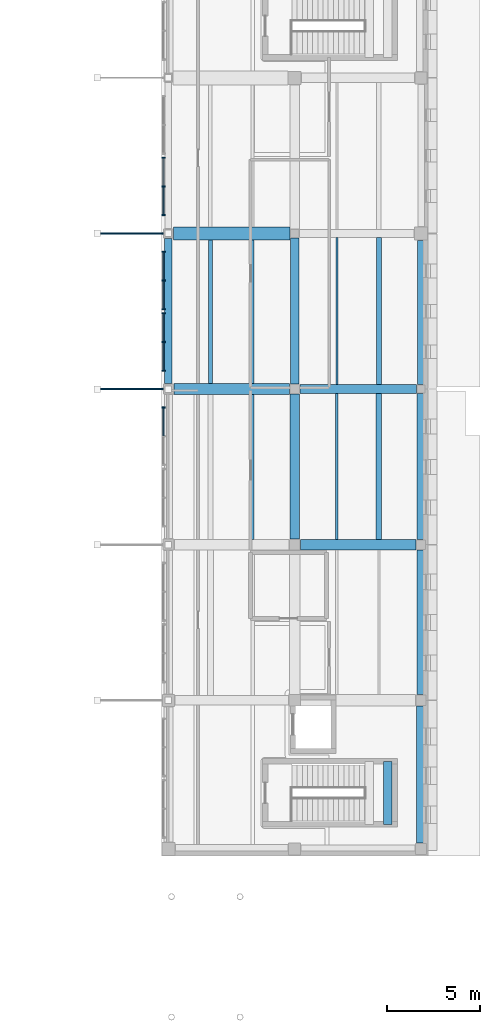
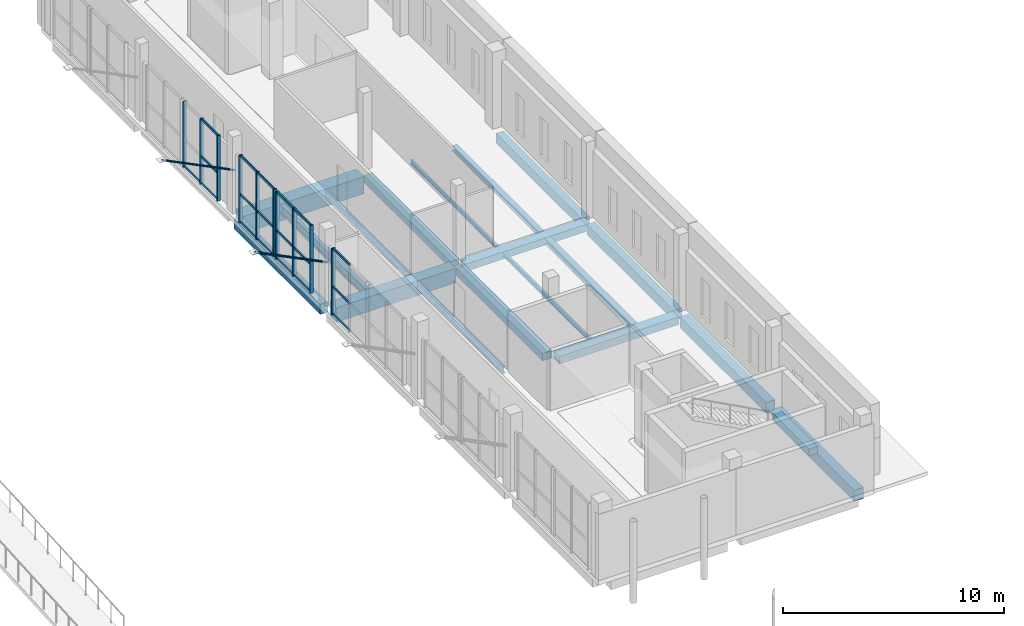
# One storey, part 33 of 77: 31 members, 19 beams, 4 elements without a shape of their own.
"""IFC4 building model written with IfcOpenShell, lengths in metres."""

from ifc_helpers import new_model, si_unit, direction, frame, origin, origin_2d, place, context, subcontext, project, spatial, rectangle, hollow_circle, i_section, extrude, material, layer, layer_set, material_profile, profile_set, type_object, element, aggregate, save


model = new_model("IFC4")

# Units and contexts
model_context = context("Model", 3, precision=1e-05, world=origin(), true_north=direction((0.0, 1.0)))
body_context = subcontext(model_context, "Body", "Model", "MODEL_VIEW")
ifc_project = project(units=[si_unit("LENGTHUNIT", "METRE"), si_unit("AREAUNIT", "SQUARE_METRE"), si_unit("VOLUMEUNIT", "CUBIC_METRE"), si_unit("PLANEANGLEUNIT", "RADIAN"), si_unit("MASSUNIT", "GRAM", prefix="KILO")], contexts=[model_context])

# Site, building, storey
site_placement = place(None, origin())
site = spatial("IfcSite", under=ifc_project, at=site_placement, CompositionType="ELEMENT")
building_placement = place(site_placement, origin())
building = spatial("IfcBuilding", under=site, at=building_placement, Name="Vardoun Plaza Health Centre", CompositionType="ELEMENT")
storey_placement = place(building_placement, origin())
storey = spatial("IfcBuildingStorey", under=building, at=storey_placement, Name="L00", CompositionType="ELEMENT", Elevation=0.0)

# Beams
ifc_material_1 = material(Name="Concrete C35/45", Category="concrete")
ifc_material_profile_1 = material_profile(ifc_material_1, rectangle(XDim=0.39990234375, YDim=0.550048828125, at=origin_2d()), Name="RC-BM 400x550")
ifc_profile_set_1 = profile_set([ifc_material_profile_1], Name="Concrete C35/45")
beam_type_1 = type_object("IfcBeamType", Name="B-09", PredefinedType="SPANDREL", material=ifc_profile_set_1)
beam_1_placement = place(storey_placement, frame((151.280029296875, 61.800048828125, -0.52490234375), z_axis=(0.0, 1.0, 0.0), x_axis=(-1.0, 0.0, 0.0)))
element("IfcBeam", 1, at=beam_1_placement, inside=storey, type_object=beam_type_1, Name="V6 L00 Beam B-V6-L00-Y18", PredefinedType="SPANDREL", context=body_context, shape_type="SweptSolid", body=[
    extrude(rectangle(XDim=0.39990234375, YDim=0.550048828125, at=origin_2d()), origin(), (0.0, 0.0, 1.0), 7.824951171875),
])
beam_2_placement = place(storey_placement, frame((164.919921875, 61.75, -0.52490234375), z_axis=(0.0, 1.0, 0.0), x_axis=(-1.0, 0.0, 0.0)))
element("IfcBeam", 2, at=beam_2_placement, inside=storey, type_object=beam_type_1, Name="V6 L00 Beam B-V6-L00-Y28", PredefinedType="SPANDREL", context=body_context, shape_type="SweptSolid", body=[
    extrude(rectangle(XDim=0.39990234375, YDim=0.550048828125, at=origin_2d()), origin(), (0.0, 0.0, 1.0), 7.775146484375),
])
ifc_material_2 = material(Name="Concrete C35/45", Category="concrete")
ifc_material_profile_2 = material_profile(ifc_material_2, rectangle(XDim=0.419921875, YDim=0.580078125, at=origin_2d()), Name="RC-BM 420x580")
ifc_profile_set_2 = profile_set([ifc_material_profile_2], Name="Concrete C35/45")
beam_type_2 = type_object("IfcBeamType", Name="B-10", PredefinedType="SPANDREL", material=ifc_profile_set_2)
beam_3_placement = place(storey_placement, frame((164.919921875, 53.375, -0.5400390625), z_axis=(0.0, 1.0, 0.0), x_axis=(-1.0, 0.0, 0.0)))
element("IfcBeam", 3, at=beam_3_placement, inside=storey, type_object=beam_type_2, Name="V6 L00 Beam B-V6-L00-Y27", PredefinedType="SPANDREL", context=body_context, shape_type="SweptSolid", body=[
    extrude(rectangle(XDim=0.419921875, YDim=0.580078125, at=origin_2d()), origin(), (0.0, 0.0, 1.0), 7.875),
])
ifc_material_3 = material(Name="Concrete C35/45", Category="concrete")
ifc_material_profile_3 = material_profile(ifc_material_3, rectangle(XDim=0.449951171875, YDim=0.3798828125, at=origin_2d()), Name="RC-BM 450x380")
ifc_profile_set_3 = profile_set([ifc_material_profile_3], Name="Concrete C35/45")
beam_type_3 = type_object("IfcBeamType", Name="B-01", PredefinedType="BEAM", material=ifc_profile_set_3)
beam_4_placement = place(storey_placement, frame((158.10009765625, 61.775146484375, -0.43994140625), z_axis=(0.0, 1.0, 0.0), x_axis=(-1.0, 0.0, 0.0)))
element("IfcBeam", 4, at=beam_4_placement, inside=storey, type_object=beam_type_3, Name="V6 L00 Beam B-V6-L00-Y23", PredefinedType="BEAM", context=body_context, shape_type="SweptSolid", body=[
    extrude(rectangle(XDim=0.449951171875, YDim=0.3798828125, at=origin_2d()), origin(), (0.0, 0.0, 1.0), 7.875),
])
beam_5_placement = place(storey_placement, frame((163.1201171875, 38.0, 1.860107421875), z_axis=(0.0, 1.0, 0.0), x_axis=(-1.0, 0.0, 0.0)))
element("IfcBeam", 5, at=beam_5_placement, inside=storey, type_object=beam_type_3, Name="Stair ST-C10-L00 Landing Beam 2", PredefinedType="BEAM", context=body_context, shape_type="SweptSolid", body=[
    extrude(rectangle(XDim=0.449951171875, YDim=0.3798828125, at=origin_2d()), origin(), (0.0, 0.0, 1.0), 3.400146484375),
])
ifc_material_4 = material(Name="Concrete C35/45", Category="concrete")
ifc_material_profile_4 = material_profile(ifc_material_4, rectangle(XDim=0.449951171875, YDim=0.60009765625, at=origin_2d()), Name="RC-BM 450x600")
ifc_profile_set_4 = profile_set([ifc_material_profile_4], Name="Concrete C35/45")
beam_type_4 = type_object("IfcBeamType", Name="B-11", PredefinedType="SPANDREL", material=ifc_profile_set_4)
beam_6_placement = place(storey_placement, frame((164.919921875, 45.0, -0.550048828125), z_axis=(0.0, 1.0, 0.0), x_axis=(-1.0, 0.0, 0.0)))
element("IfcBeam", 6, at=beam_6_placement, inside=storey, type_object=beam_type_4, Name="V6 L00 Beam B-V6-L00-Y26", PredefinedType="SPANDREL", context=body_context, shape_type="SweptSolid", body=[
    extrude(rectangle(XDim=0.449951171875, YDim=0.60009765625, at=origin_2d()), origin(), (0.0, 0.0, 1.0), 7.824951171875),
])
ifc_material_5 = material(Name="Concrete C35/45", Category="concrete")
ifc_material_profile_5 = material_profile(ifc_material_5, rectangle(XDim=0.47998046875, YDim=0.6201171875, at=origin_2d()), Name="RC-BM 480x620")
ifc_profile_set_5 = profile_set([ifc_material_profile_5], Name="Concrete C35/45")
beam_type_5 = type_object("IfcBeamType", Name="B-12", PredefinedType="SPANDREL", material=ifc_profile_set_5)
beam_7_placement = place(storey_placement, frame((164.919921875, 37.0048828125, -0.56005859375), z_axis=(0.0, 1.0, 0.0), x_axis=(-1.0, 0.0, 0.0)))
element("IfcBeam", 7, at=beam_7_placement, inside=storey, type_object=beam_type_5, Name="V6 L00 Beam B-V6-L00-Y25", PredefinedType="SPANDREL", context=body_context, shape_type="SweptSolid", body=[
    extrude(rectangle(XDim=0.47998046875, YDim=0.6201171875, at=origin_2d()), origin(), (0.0, 0.0, 1.0), 7.395263671875),
])
ifc_material_6 = material(Name="Concrete C35/45", Category="concrete")
ifc_material_profile_6 = material_profile(ifc_material_6, rectangle(XDim=0.5, YDim=0.39990234375, at=origin_2d()), Name="RC-BM 500x400")
ifc_profile_set_6 = profile_set([ifc_material_profile_6], Name="Concrete C35/45")
beam_type_6 = type_object("IfcBeamType", Name="B-02", PredefinedType="BEAM", material=ifc_profile_set_6)
beam_8_placement = place(storey_placement, frame((158.375, 61.5, -0.449951171875), z_axis=(1.0, 0.0, 0.0), x_axis=(0.0, 1.0, 0.0)))
element("IfcBeam", 8, at=beam_8_placement, inside=storey, type_object=beam_type_6, Name="V6 L00 Beam B-V6-L00-X11", PredefinedType="BEAM", context=body_context, shape_type="SweptSolid", body=[
    extrude(rectangle(XDim=0.5, YDim=0.39990234375, at=origin_2d()), origin(), (0.0, 0.0, 1.0), 6.294921875),
])
beam_9_placement = place(storey_placement, frame((158.10009765625, 53.400146484375, -0.449951171875), z_axis=(0.0, 1.0, 0.0), x_axis=(-1.0, 0.0, 0.0)))
element("IfcBeam", 9, at=beam_9_placement, inside=storey, type_object=beam_type_6, Name="V6 L00 Beam B-V6-L00-Y22", PredefinedType="BEAM", context=body_context, shape_type="SweptSolid", body=[
    extrude(rectangle(XDim=0.5, YDim=0.39990234375, at=origin_2d()), origin(), (0.0, 0.0, 1.0), 7.824951171875),
])
ifc_material_7 = material(Name="Concrete C35/45", Category="concrete")
ifc_material_profile_7 = material_profile(ifc_material_7, rectangle(XDim=0.550048828125, YDim=0.419921875, at=origin_2d()), Name="RC-BM 550x420")
ifc_profile_set_7 = profile_set([ifc_material_profile_7], Name="Concrete C35/45")
beam_type_7 = type_object("IfcBeamType", Name="B-03", PredefinedType="BEAM", material=ifc_profile_set_7)
beam_10_placement = place(storey_placement, frame((158.39990234375, 53.10009765625, -0.4599609375), z_axis=(1.0, 0.0, 0.0), x_axis=(0.0, 1.0, 0.0)))
element("IfcBeam", 10, at=beam_10_placement, inside=storey, type_object=beam_type_7, Name="V6 L00 Beam B-V6-L00-X10", PredefinedType="BEAM", context=body_context, shape_type="SweptSolid", body=[
    extrude(rectangle(XDim=0.550048828125, YDim=0.419921875, at=origin_2d()), origin(), (0.0, 0.0, 1.0), 6.2451171875),
])
ifc_material_8 = material(Name="Concrete C40/50", Category="concrete")
ifc_material_profile_8 = material_profile(ifc_material_8, rectangle(XDim=0.60009765625, YDim=0.800048828125, at=origin_2d()), Name="RC-BM 600x800")
ifc_profile_set_8 = profile_set([ifc_material_profile_8], Name="Concrete C40/50")
beam_type_8 = type_object("IfcBeamType", Name="B-15", PredefinedType="JOIST", material=ifc_profile_set_8)
beam_11_placement = place(storey_placement, frame((151.580078125, 61.5, -0.64990234375), z_axis=(1.0, 0.0, 0.0), x_axis=(0.0, 1.0, 0.0)))
element("IfcBeam", 11, at=beam_11_placement, inside=storey, type_object=beam_type_8, Name="V6 L00 Beam B-V6-L00-X04", PredefinedType="JOIST", context=body_context, shape_type="SweptSolid", body=[
    extrude(rectangle(XDim=0.60009765625, YDim=0.800048828125, at=origin_2d()), origin(), (0.0, 0.0, 1.0), 6.244873046875),
])
ifc_material_9 = material(Name="Concrete C40/50", Category="concrete")
ifc_material_profile_9 = material_profile(ifc_material_9, rectangle(XDim=0.699951171875, YDim=0.949951171875, at=origin_2d()), Name="RC-BM 700x950")
ifc_profile_set_9 = profile_set([ifc_material_profile_9], Name="Concrete C40/50")
beam_type_9 = type_object("IfcBeamType", Name="B-16", PredefinedType="LINTEL", material=ifc_profile_set_9)
beam_12_placement = place(storey_placement, frame((151.554931640625, 69.900146484375, -0.72509765625), z_axis=(1.0, 0.0, 0.0), x_axis=(0.0, 1.0, 0.0)))
element("IfcBeam", 12, at=beam_12_placement, inside=storey, type_object=beam_type_9, Name="V6 L00 Beam B-V6-L00-X05", PredefinedType="LINTEL", context=body_context, shape_type="SweptSolid", body=[
    extrude(rectangle(XDim=0.699951171875, YDim=0.949951171875, at=origin_2d()), origin(), (0.0, 0.0, 1.0), 6.295166015625),
])
ifc_material_10 = material(Name="Steel S355J2", Category="steel")
ifc_material_profile_10 = material_profile(ifc_material_10, i_section(OverallWidth=0.280029296875, OverallDepth=0.27001953125, WebThickness=0.008056640625, FlangeThickness=0.012939453125, FilletRadius=0.02392578125, at=origin_2d()), Name="HEA 280")
ifc_profile_set_10 = profile_set([ifc_material_profile_10], Name="Steel S355J2")
beam_type_10 = type_object("IfcBeamType", Name="SB-06", PredefinedType="BEAM", material=ifc_profile_set_10)
beam_13_placement = place(storey_placement, frame((162.64697265625, 61.75, -0.385009765625), z_axis=(0.0, 1.0, 0.0), x_axis=(-1.0, 0.0, 0.0)))
element("IfcBeam", 13, at=beam_13_placement, inside=storey, type_object=beam_type_10, Name="V6 L00 Secondary Floor Beam SJ-V6-L00-15", PredefinedType="BEAM", context=body_context, shape_type="SweptSolid", body=[
    extrude(i_section(OverallWidth=0.280029296875, OverallDepth=0.27001953125, WebThickness=0.008056640625, FlangeThickness=0.012939453125, FilletRadius=0.02392578125, at=origin_2d()), origin(), (0.0, 0.0, 1.0), 7.925048828125),
])
ifc_material_11 = material(Name="Steel S355J2", Category="steel")
ifc_material_profile_11 = material_profile(ifc_material_11, i_section(OverallWidth=0.300048828125, OverallDepth=0.330078125, WebThickness=0.009521484375, FlangeThickness=0.0166015625, FilletRadius=0.027099609375, at=origin_2d()), Name="HEA 340")
ifc_profile_set_11 = profile_set([ifc_material_profile_11], Name="Steel S355J2")
beam_type_11 = type_object("IfcBeamType", Name="SB-04", PredefinedType="BEAM", material=ifc_profile_set_11)
beam_14_placement = place(storey_placement, frame((162.64697265625, 53.375, -0.4150390625), z_axis=(0.0, 1.0, 0.0), x_axis=(-1.0, 0.0, 0.0)))
element("IfcBeam", 14, at=beam_14_placement, inside=storey, type_object=beam_type_11, Name="V6 L00 Secondary Floor Beam SJ-V6-L00-14", PredefinedType="BEAM", context=body_context, shape_type="SweptSolid", body=[
    extrude(i_section(OverallWidth=0.300048828125, OverallDepth=0.330078125, WebThickness=0.009521484375, FlangeThickness=0.0166015625, FilletRadius=0.027099609375, at=origin_2d()), origin(), (0.0, 0.0, 1.0), 7.875),
])
ifc_material_12 = material(Name="Steel S355J2", Category="steel")
ifc_material_profile_12 = material_profile(ifc_material_12, i_section(OverallWidth=0.110107421875, OverallDepth=0.219970703125, WebThickness=0.005859375, FlangeThickness=0.00927734375, FilletRadius=0.011962890625, at=origin_2d()), Name="IPE 220")
ifc_profile_set_12 = profile_set([ifc_material_profile_12], Name="Steel S355J2")
beam_type_12 = type_object("IfcBeamType", Name="SB-18", PredefinedType="JOIST", material=ifc_profile_set_12)
beam_15_placement = place(storey_placement, frame((160.373046875, 61.75, -0.360107421875), z_axis=(0.0, 1.0, 0.0), x_axis=(-1.0, 0.0, 0.0)))
element("IfcBeam", 15, at=beam_15_placement, inside=storey, type_object=beam_type_12, Name="V6 L00 Secondary Floor Beam SJ-V6-L00-11", PredefinedType="JOIST", context=body_context, shape_type="SweptSolid", body=[
    extrude(i_section(OverallWidth=0.110107421875, OverallDepth=0.219970703125, WebThickness=0.005859375, FlangeThickness=0.00927734375, FilletRadius=0.011962890625, at=origin_2d()), origin(), (0.0, 0.0, 1.0), 7.925048828125),
])
ifc_material_13 = material(Name="Steel S355J2", Category="steel")
ifc_material_profile_13 = material_profile(ifc_material_13, i_section(OverallWidth=0.1201171875, OverallDepth=0.239990234375, WebThickness=0.006103515625, FlangeThickness=0.009765625, FilletRadius=0.014892578125, at=origin_2d()), Name="IPE 240")
ifc_profile_set_13 = profile_set([ifc_material_profile_13], Name="Steel S355J2")
beam_type_13 = type_object("IfcBeamType", Name="SB-17", PredefinedType="JOIST", material=ifc_profile_set_13)
beam_16_placement = place(storey_placement, frame((160.373046875, 53.375, -0.3701171875), z_axis=(0.0, 1.0, 0.0), x_axis=(-1.0, 0.0, 0.0)))
element("IfcBeam", 16, at=beam_16_placement, inside=storey, type_object=beam_type_13, Name="V6 L00 Secondary Floor Beam SJ-V6-L00-10", PredefinedType="JOIST", context=body_context, shape_type="SweptSolid", body=[
    extrude(i_section(OverallWidth=0.1201171875, OverallDepth=0.239990234375, WebThickness=0.006103515625, FlangeThickness=0.009765625, FilletRadius=0.014892578125, at=origin_2d()), origin(), (0.0, 0.0, 1.0), 7.875),
])
ifc_material_14 = material(Name="Steel S355J2", Category="steel")
ifc_material_profile_14 = material_profile(ifc_material_14, i_section(OverallWidth=0.159912109375, OverallDepth=0.330078125, WebThickness=0.007568359375, FlangeThickness=0.011474609375, FilletRadius=0.01806640625, at=origin_2d()), Name="IPE 330")
ifc_profile_set_14 = profile_set([ifc_material_profile_14], Name="Steel S355J2")
beam_type_14 = type_object("IfcBeamType", Name="SB-14", PredefinedType="JOIST", material=ifc_profile_set_14)
beam_17_placement = place(storey_placement, frame((155.826904296875, 61.800048828125, -0.4150390625), z_axis=(0.0, 1.0, 0.0), x_axis=(-1.0, 0.0, 0.0)))
element("IfcBeam", 17, at=beam_17_placement, inside=storey, type_object=beam_type_14, Name="V6 L00 Secondary Floor Beam SJ-V6-L00-07", PredefinedType="JOIST", context=body_context, shape_type="SweptSolid", body=[
    extrude(i_section(OverallWidth=0.159912109375, OverallDepth=0.330078125, WebThickness=0.007568359375, FlangeThickness=0.011474609375, FilletRadius=0.01806640625, at=origin_2d()), origin(), (0.0, 0.0, 1.0), 7.75),
])
ifc_material_15 = material(Name="Steel S355J2", Category="steel")
ifc_material_profile_15 = material_profile(ifc_material_15, i_section(OverallWidth=0.169921875, OverallDepth=0.360107421875, WebThickness=0.008056640625, FlangeThickness=0.0126953125, FilletRadius=0.01806640625, at=origin_2d()), Name="IPE 360")
ifc_profile_set_15 = profile_set([ifc_material_profile_15], Name="Steel S355J2")
beam_type_15 = type_object("IfcBeamType", Name="SB-13", PredefinedType="JOIST", material=ifc_profile_set_15)
beam_18_placement = place(storey_placement, frame((155.826904296875, 53.375, -0.429931640625), z_axis=(0.0, 1.0, 0.0), x_axis=(-1.0, 0.0, 0.0)))
element("IfcBeam", 18, at=beam_18_placement, inside=storey, type_object=beam_type_15, Name="V6 L00 Secondary Floor Beam SJ-V6-L00-06", PredefinedType="JOIST", context=body_context, shape_type="SweptSolid", body=[
    extrude(i_section(OverallWidth=0.169921875, OverallDepth=0.360107421875, WebThickness=0.008056640625, FlangeThickness=0.0126953125, FilletRadius=0.01806640625, at=origin_2d()), origin(), (0.0, 0.0, 1.0), 7.824951171875),
])
ifc_material_16 = material(Name="Steel S355J2", Category="steel")
ifc_material_profile_16 = material_profile(ifc_material_16, i_section(OverallWidth=0.199951171875, OverallDepth=0.5, WebThickness=0.01025390625, FlangeThickness=0.01611328125, FilletRadius=0.02099609375, at=origin_2d()), Name="IPE 500")
ifc_profile_set_16 = profile_set([ifc_material_profile_16], Name="Steel S355J2")
beam_type_16 = type_object("IfcBeamType", Name="SB-10", PredefinedType="BEAM", material=ifc_profile_set_16)
beam_19_placement = place(storey_placement, frame((153.552978515625, 61.800048828125, -0.5), z_axis=(0.0, 1.0, 0.0), x_axis=(-1.0, 0.0, 0.0)))
element("IfcBeam", 19, at=beam_19_placement, inside=storey, type_object=beam_type_16, Name="V6 L00 Secondary Floor Beam SJ-V6-L00-03", PredefinedType="BEAM", context=body_context, shape_type="SweptSolid", body=[
    extrude(i_section(OverallWidth=0.199951171875, OverallDepth=0.5, WebThickness=0.01025390625, FlangeThickness=0.01611328125, FilletRadius=0.02099609375, at=origin_2d()), origin(), (0.0, 0.0, 1.0), 7.75),
])

# Curtain wall, member
ifc_material_17 = material(Name="Aluminium Alloy EN AW-6063-T6 and Low-E Glass", Category="aluminium")
ifc_layer = layer(ifc_material_17, 0.179931640625)
ifc_layer_set = layer_set([ifc_layer], Name="Aluminium Alloy EN AW-6063-T6 and Low-E Glass")
curtain_wall_type = type_object("IfcCurtainWallType", Name="CW-01", PredefinedType="USERDEFINED", material=ifc_layer_set)
curtain_wall_1_placement = place(storey_placement, origin())
curtain_wall_1 = element("IfcCurtainWall", 20, at=curtain_wall_1_placement, inside=storey, type_object=curtain_wall_type, Name="Curtain Wall CW-V6-196", ObjectType="CONCOURSE_CURTAIN_WALL", PredefinedType="USERDEFINED")
ifc_material_18 = material(Name="Aluminium Alloy EN AW-6063-T6", Category="aluminium")
ifc_material_profile_17 = material_profile(ifc_material_18, rectangle(XDim=0.179931640625, YDim=0.06494140625, at=origin_2d()), Name="CWM 65x180")
ifc_profile_set_17 = profile_set([ifc_material_profile_17], Name="Aluminium Alloy EN AW-6063-T6")
member_type_1 = type_object("IfcMemberType", Name="CW-M2", PredefinedType="MULLION", material=ifc_profile_set_17)
member_1_placement = place(storey_placement, frame((151.02001953125, 60.507568359375, 0.0), z_axis=(0.0, 0.0, 1.0), x_axis=(-1.0, 0.0, 0.0)))
member_1 = element("IfcMember", 21, at=member_1_placement, type_object=member_type_1, Name="CW-V6-196 mullion 3", PredefinedType="MULLION", context=body_context, shape_type="SweptSolid", body=[
    extrude(rectangle(XDim=0.179931640625, YDim=0.06494140625, at=origin_2d()), origin(), (0.0, 0.0, 1.0), 3.68505859375),
])

# Curtain wall, members
curtain_wall_2_placement = place(storey_placement, origin())
curtain_wall_2 = element("IfcCurtainWall", 22, at=curtain_wall_2_placement, inside=storey, type_object=curtain_wall_type, Name="Curtain Wall CW-V6-197", ObjectType="CONCOURSE_CURTAIN_WALL", PredefinedType="USERDEFINED")
member_2_placement = place(storey_placement, frame((151.02001953125, 62.492431640625, 0.0), z_axis=(0.0, 0.0, 1.0), x_axis=(-1.0, 0.0, 0.0)))
member_2 = element("IfcMember", 23, at=member_2_placement, type_object=member_type_1, Name="CW-V6-197 mullion 1", PredefinedType="MULLION", context=body_context, shape_type="SweptSolid", body=[
    extrude(rectangle(XDim=0.179931640625, YDim=0.06494140625, at=origin_2d()), origin(), (0.0, 0.0, 1.0), 3.735107421875),
])
member_3_placement = place(storey_placement, frame((151.02001953125, 64.0400390625, 0.0), z_axis=(0.0, 0.0, 1.0), x_axis=(-1.0, 0.0, 0.0)))
member_3 = element("IfcMember", 24, at=member_3_placement, type_object=member_type_1, Name="CW-V6-197 mullion 2", PredefinedType="MULLION", context=body_context, shape_type="SweptSolid", body=[
    extrude(rectangle(XDim=0.179931640625, YDim=0.06494140625, at=origin_2d()), origin(), (0.0, 0.0, 1.0), 3.735107421875),
])
member_4_placement = place(storey_placement, frame((151.02001953125, 65.587646484375, 0.0), z_axis=(0.0, 0.0, 1.0), x_axis=(-1.0, 0.0, 0.0)))
member_4 = element("IfcMember", 25, at=member_4_placement, type_object=member_type_1, Name="CW-V6-197 mullion 3", PredefinedType="MULLION", context=body_context, shape_type="SweptSolid", body=[
    extrude(rectangle(XDim=0.179931640625, YDim=0.06494140625, at=origin_2d()), origin(), (0.0, 0.0, 1.0), 3.735107421875),
])

curtain_wall_3_placement = place(storey_placement, origin())
curtain_wall_3 = element("IfcCurtainWall", 26, at=curtain_wall_3_placement, inside=storey, type_object=curtain_wall_type, Name="Curtain Wall CW-V6-198", ObjectType="CONCOURSE_CURTAIN_WALL", PredefinedType="USERDEFINED")
member_5_placement = place(storey_placement, frame((151.02001953125, 65.8125, 0.0), z_axis=(0.0, 0.0, 1.0), x_axis=(-1.0, 0.0, 0.0)))
member_5 = element("IfcMember", 27, at=member_5_placement, type_object=member_type_1, Name="CW-V6-198 mullion 1", PredefinedType="MULLION", context=body_context, shape_type="SweptSolid", body=[
    extrude(rectangle(XDim=0.179931640625, YDim=0.06494140625, at=origin_2d()), origin(), (0.0, 0.0, 1.0), 3.735107421875),
])
member_6_placement = place(storey_placement, frame((151.02001953125, 67.360107421875, 0.0), z_axis=(0.0, 0.0, 1.0), x_axis=(-1.0, 0.0, 0.0)))
member_6 = element("IfcMember", 28, at=member_6_placement, type_object=member_type_1, Name="CW-V6-198 mullion 2", PredefinedType="MULLION", context=body_context, shape_type="SweptSolid", body=[
    extrude(rectangle(XDim=0.179931640625, YDim=0.06494140625, at=origin_2d()), origin(), (0.0, 0.0, 1.0), 3.735107421875),
])
member_7_placement = place(storey_placement, frame((151.02001953125, 68.907470703125, 0.0), z_axis=(0.0, 0.0, 1.0), x_axis=(-1.0, 0.0, 0.0)))
member_7 = element("IfcMember", 29, at=member_7_placement, type_object=member_type_1, Name="CW-V6-198 mullion 3", PredefinedType="MULLION", context=body_context, shape_type="SweptSolid", body=[
    extrude(rectangle(XDim=0.179931640625, YDim=0.06494140625, at=origin_2d()), origin(), (0.0, 0.0, 1.0), 3.735107421875),
])

curtain_wall_4_placement = place(storey_placement, origin())
curtain_wall_4 = element("IfcCurtainWall", 30, at=curtain_wall_4_placement, inside=storey, type_object=curtain_wall_type, Name="Curtain Wall CW-V6-199", ObjectType="CONCOURSE_CURTAIN_WALL", PredefinedType="USERDEFINED")
member_8_placement = place(storey_placement, frame((151.02001953125, 70.892578125, 0.0), z_axis=(0.0, 0.0, 1.0), x_axis=(-1.0, 0.0, 0.0)))
member_8 = element("IfcMember", 31, at=member_8_placement, type_object=member_type_1, Name="CW-V6-199 mullion 1", PredefinedType="MULLION", context=body_context, shape_type="SweptSolid", body=[
    extrude(rectangle(XDim=0.179931640625, YDim=0.06494140625, at=origin_2d()), origin(), (0.0, 0.0, 1.0), 3.614990234375),
])
member_9_placement = place(storey_placement, frame((151.02001953125, 72.440185546875, 0.0), z_axis=(0.0, 0.0, 1.0), x_axis=(-1.0, 0.0, 0.0)))
member_9 = element("IfcMember", 32, at=member_9_placement, type_object=member_type_1, Name="CW-V6-199 mullion 2", PredefinedType="MULLION", context=body_context, shape_type="SweptSolid", body=[
    extrude(rectangle(XDim=0.179931640625, YDim=0.06494140625, at=origin_2d()), origin(), (0.0, 0.0, 1.0), 3.614990234375),
])
member_10_placement = place(storey_placement, frame((151.02001953125, 73.987548828125, 0.0), z_axis=(0.0, 0.0, 1.0), x_axis=(-1.0, 0.0, 0.0)))
member_10 = element("IfcMember", 33, at=member_10_placement, type_object=member_type_1, Name="CW-V6-199 mullion 3", PredefinedType="MULLION", context=body_context, shape_type="SweptSolid", body=[
    extrude(rectangle(XDim=0.179931640625, YDim=0.06494140625, at=origin_2d()), origin(), (0.0, 0.0, 1.0), 3.614990234375),
])

# Member
ifc_material_19 = material(Name="Aluminium Alloy EN AW-6063-T6", Category="aluminium")
ifc_material_profile_18 = material_profile(ifc_material_19, rectangle(XDim=0.06494140625, YDim=0.139892578125, at=origin_2d()), Name="CWT 65x140")
ifc_profile_set_18 = profile_set([ifc_material_profile_18], Name="Aluminium Alloy EN AW-6063-T6")
member_type_2 = type_object("IfcMemberType", Name="CW-T2", PredefinedType="USERDEFINED", material=ifc_profile_set_18)
member_11_placement = place(storey_placement, frame((151.02001953125, 58.992431640625, 0.032470703125), z_axis=(0.0, 1.0, 0.0), x_axis=(-1.0, 0.0, 0.0)))
member_11 = element("IfcMember", 34, at=member_11_placement, type_object=member_type_2, Name="CW-V6-196 transom 2.1", ObjectType="TRANSOM", PredefinedType="USERDEFINED", context=body_context, shape_type="SweptSolid", body=[
    extrude(rectangle(XDim=0.06494140625, YDim=0.139892578125, at=origin_2d()), origin(), (0.0, 0.0, 1.0), 1.482666015625),
])

member_12_placement = place(storey_placement, frame((151.02001953125, 58.992431640625, 1.547607421875), z_axis=(0.0, 1.0, 0.0), x_axis=(-1.0, 0.0, 0.0)))
member_12 = element("IfcMember", 35, at=member_12_placement, type_object=member_type_2, Name="CW-V6-196 transom 2.2", ObjectType="TRANSOM", PredefinedType="USERDEFINED", context=body_context, shape_type="SweptSolid", body=[
    extrude(rectangle(XDim=0.06494140625, YDim=0.139892578125, at=origin_2d()), origin(), (0.0, 0.0, 1.0), 1.482666015625),
])

member_13_placement = place(storey_placement, frame((151.02001953125, 58.992431640625, 3.652587890625), z_axis=(0.0, 1.0, 0.0), x_axis=(-1.0, 0.0, 0.0)))
member_13 = element("IfcMember", 36, at=member_13_placement, type_object=member_type_2, Name="CW-V6-196 transom 2.3", ObjectType="TRANSOM", PredefinedType="USERDEFINED", context=body_context, shape_type="SweptSolid", body=[
    extrude(rectangle(XDim=0.06494140625, YDim=0.139892578125, at=origin_2d()), origin(), (0.0, 0.0, 1.0), 1.482666015625),
])

aggregate(curtain_wall_1, [member_1, member_11, member_12, member_13])

member_14_placement = place(storey_placement, frame((151.02001953125, 62.525146484375, 0.032470703125), z_axis=(0.0, 1.0, 0.0), x_axis=(-1.0, 0.0, 0.0)))
member_14 = element("IfcMember", 37, at=member_14_placement, type_object=member_type_2, Name="CW-V6-197 transom 1.1", ObjectType="TRANSOM", PredefinedType="USERDEFINED", context=body_context, shape_type="SweptSolid", body=[
    extrude(rectangle(XDim=0.06494140625, YDim=0.139892578125, at=origin_2d()), origin(), (0.0, 0.0, 1.0), 1.482421875),
])

member_15_placement = place(storey_placement, frame((151.02001953125, 62.525146484375, 1.568603515625), z_axis=(0.0, 1.0, 0.0), x_axis=(-1.0, 0.0, 0.0)))
member_15 = element("IfcMember", 38, at=member_15_placement, type_object=member_type_2, Name="CW-V6-197 transom 1.2", ObjectType="TRANSOM", PredefinedType="USERDEFINED", context=body_context, shape_type="SweptSolid", body=[
    extrude(rectangle(XDim=0.06494140625, YDim=0.139892578125, at=origin_2d()), origin(), (0.0, 0.0, 1.0), 1.482421875),
])

member_16_placement = place(storey_placement, frame((151.02001953125, 62.525146484375, 3.702392578125), z_axis=(0.0, 1.0, 0.0), x_axis=(-1.0, 0.0, 0.0)))
member_16 = element("IfcMember", 39, at=member_16_placement, type_object=member_type_2, Name="CW-V6-197 transom 1.3", ObjectType="TRANSOM", PredefinedType="USERDEFINED", context=body_context, shape_type="SweptSolid", body=[
    extrude(rectangle(XDim=0.06494140625, YDim=0.139892578125, at=origin_2d()), origin(), (0.0, 0.0, 1.0), 1.482421875),
])

member_17_placement = place(storey_placement, frame((151.02001953125, 64.072509765625, 0.032470703125), z_axis=(0.0, 1.0, 0.0), x_axis=(-1.0, 0.0, 0.0)))
member_17 = element("IfcMember", 40, at=member_17_placement, type_object=member_type_2, Name="CW-V6-197 transom 2.1", ObjectType="TRANSOM", PredefinedType="USERDEFINED", context=body_context, shape_type="SweptSolid", body=[
    extrude(rectangle(XDim=0.06494140625, YDim=0.139892578125, at=origin_2d()), origin(), (0.0, 0.0, 1.0), 1.482421875),
])

member_18_placement = place(storey_placement, frame((151.02001953125, 64.072509765625, 1.568603515625), z_axis=(0.0, 1.0, 0.0), x_axis=(-1.0, 0.0, 0.0)))
member_18 = element("IfcMember", 41, at=member_18_placement, type_object=member_type_2, Name="CW-V6-197 transom 2.2", ObjectType="TRANSOM", PredefinedType="USERDEFINED", context=body_context, shape_type="SweptSolid", body=[
    extrude(rectangle(XDim=0.06494140625, YDim=0.139892578125, at=origin_2d()), origin(), (0.0, 0.0, 1.0), 1.482421875),
])

member_19_placement = place(storey_placement, frame((151.02001953125, 64.072509765625, 3.702392578125), z_axis=(0.0, 1.0, 0.0), x_axis=(-1.0, 0.0, 0.0)))
member_19 = element("IfcMember", 42, at=member_19_placement, type_object=member_type_2, Name="CW-V6-197 transom 2.3", ObjectType="TRANSOM", PredefinedType="USERDEFINED", context=body_context, shape_type="SweptSolid", body=[
    extrude(rectangle(XDim=0.06494140625, YDim=0.139892578125, at=origin_2d()), origin(), (0.0, 0.0, 1.0), 1.482421875),
])

aggregate(curtain_wall_2, [member_2, member_3, member_4, member_14, member_15, member_16, member_17, member_18, member_19])

member_20_placement = place(storey_placement, frame((151.02001953125, 65.844970703125, 0.032470703125), z_axis=(0.0, 1.0, 0.0), x_axis=(-1.0, 0.0, 0.0)))
member_20 = element("IfcMember", 43, at=member_20_placement, type_object=member_type_2, Name="CW-V6-198 transom 1.1", ObjectType="TRANSOM", PredefinedType="USERDEFINED", context=body_context, shape_type="SweptSolid", body=[
    extrude(rectangle(XDim=0.06494140625, YDim=0.139892578125, at=origin_2d()), origin(), (0.0, 0.0, 1.0), 1.482421875),
])

member_21_placement = place(storey_placement, frame((151.02001953125, 65.844970703125, 1.568603515625), z_axis=(0.0, 1.0, 0.0), x_axis=(-1.0, 0.0, 0.0)))
member_21 = element("IfcMember", 44, at=member_21_placement, type_object=member_type_2, Name="CW-V6-198 transom 1.2", ObjectType="TRANSOM", PredefinedType="USERDEFINED", context=body_context, shape_type="SweptSolid", body=[
    extrude(rectangle(XDim=0.06494140625, YDim=0.139892578125, at=origin_2d()), origin(), (0.0, 0.0, 1.0), 1.482421875),
])

member_22_placement = place(storey_placement, frame((151.02001953125, 65.844970703125, 3.702392578125), z_axis=(0.0, 1.0, 0.0), x_axis=(-1.0, 0.0, 0.0)))
member_22 = element("IfcMember", 45, at=member_22_placement, type_object=member_type_2, Name="CW-V6-198 transom 1.3", ObjectType="TRANSOM", PredefinedType="USERDEFINED", context=body_context, shape_type="SweptSolid", body=[
    extrude(rectangle(XDim=0.06494140625, YDim=0.139892578125, at=origin_2d()), origin(), (0.0, 0.0, 1.0), 1.482421875),
])

member_23_placement = place(storey_placement, frame((151.02001953125, 67.392578125, 0.032470703125), z_axis=(0.0, 1.0, 0.0), x_axis=(-1.0, 0.0, 0.0)))
member_23 = element("IfcMember", 46, at=member_23_placement, type_object=member_type_2, Name="CW-V6-198 transom 2.1", ObjectType="TRANSOM", PredefinedType="USERDEFINED", context=body_context, shape_type="SweptSolid", body=[
    extrude(rectangle(XDim=0.06494140625, YDim=0.139892578125, at=origin_2d()), origin(), (0.0, 0.0, 1.0), 1.482421875),
])

member_24_placement = place(storey_placement, frame((151.02001953125, 67.392578125, 1.568603515625), z_axis=(0.0, 1.0, 0.0), x_axis=(-1.0, 0.0, 0.0)))
member_24 = element("IfcMember", 47, at=member_24_placement, type_object=member_type_2, Name="CW-V6-198 transom 2.2", ObjectType="TRANSOM", PredefinedType="USERDEFINED", context=body_context, shape_type="SweptSolid", body=[
    extrude(rectangle(XDim=0.06494140625, YDim=0.139892578125, at=origin_2d()), origin(), (0.0, 0.0, 1.0), 1.482421875),
])

member_25_placement = place(storey_placement, frame((151.02001953125, 67.392578125, 3.702392578125), z_axis=(0.0, 1.0, 0.0), x_axis=(-1.0, 0.0, 0.0)))
member_25 = element("IfcMember", 48, at=member_25_placement, type_object=member_type_2, Name="CW-V6-198 transom 2.3", ObjectType="TRANSOM", PredefinedType="USERDEFINED", context=body_context, shape_type="SweptSolid", body=[
    extrude(rectangle(XDim=0.06494140625, YDim=0.139892578125, at=origin_2d()), origin(), (0.0, 0.0, 1.0), 1.482421875),
])

aggregate(curtain_wall_3, [member_5, member_6, member_7, member_20, member_21, member_22, member_23, member_24, member_25])

member_26_placement = place(storey_placement, frame((151.02001953125, 70.925048828125, 0.032470703125), z_axis=(0.0, 1.0, 0.0), x_axis=(-1.0, 0.0, 0.0)))
member_26 = element("IfcMember", 49, at=member_26_placement, type_object=member_type_2, Name="CW-V6-199 transom 1.1", ObjectType="TRANSOM", PredefinedType="USERDEFINED", context=body_context, shape_type="SweptSolid", body=[
    extrude(rectangle(XDim=0.06494140625, YDim=0.139892578125, at=origin_2d()), origin(), (0.0, 0.0, 1.0), 1.482421875),
])

member_27_placement = place(storey_placement, frame((151.02001953125, 70.925048828125, 1.518310546875), z_axis=(0.0, 1.0, 0.0), x_axis=(-1.0, 0.0, 0.0)))
member_27 = element("IfcMember", 50, at=member_27_placement, type_object=member_type_2, Name="CW-V6-199 transom 1.2", ObjectType="TRANSOM", PredefinedType="USERDEFINED", context=body_context, shape_type="SweptSolid", body=[
    extrude(rectangle(XDim=0.06494140625, YDim=0.139892578125, at=origin_2d()), origin(), (0.0, 0.0, 1.0), 1.482421875),
])

member_28_placement = place(storey_placement, frame((151.02001953125, 70.925048828125, 3.58251953125), z_axis=(0.0, 1.0, 0.0), x_axis=(-1.0, 0.0, 0.0)))
member_28 = element("IfcMember", 51, at=member_28_placement, type_object=member_type_2, Name="CW-V6-199 transom 1.3", ObjectType="TRANSOM", PredefinedType="USERDEFINED", context=body_context, shape_type="SweptSolid", body=[
    extrude(rectangle(XDim=0.06494140625, YDim=0.139892578125, at=origin_2d()), origin(), (0.0, 0.0, 1.0), 1.482421875),
])

member_29_placement = place(storey_placement, frame((151.02001953125, 72.472412109375, 0.032470703125), z_axis=(0.0, 1.0, 0.0), x_axis=(-1.0, 0.0, 0.0)))
member_29 = element("IfcMember", 52, at=member_29_placement, type_object=member_type_2, Name="CW-V6-199 transom 2.1", ObjectType="TRANSOM", PredefinedType="USERDEFINED", context=body_context, shape_type="SweptSolid", body=[
    extrude(rectangle(XDim=0.06494140625, YDim=0.139892578125, at=origin_2d()), origin(), (0.0, 0.0, 1.0), 1.482666015625),
])

aggregate(curtain_wall_4, [member_8, member_9, member_10, member_26, member_27, member_28, member_29])

# Members
ifc_material_20 = material(Name="Steel S355J2H", Category="steel")
ifc_material_profile_19 = material_profile(ifc_material_20, hollow_circle(Radius=0.05712890625, WallThickness=0.00634765625, at=origin_2d()), Name="CHS 114.3x6.3")
ifc_profile_set_19 = profile_set([ifc_material_profile_19], Name="Steel S355J2H")
member_type_3 = type_object("IfcMemberType", Name="CS-03", PredefinedType="STRUT", material=ifc_profile_set_19)
member_30_placement = place(storey_placement, frame((151.280029296875, 61.5, 2.199951171875), z_axis=(-0.895816138957, 0.0, 0.444424847623), x_axis=(0.0, -1.0, 0.0)))
element("IfcMember", 53, at=member_30_placement, inside=storey, type_object=member_type_3, Name="Forecourt Canopy Raking Steel Strut 3", PredefinedType="STRUT", context=body_context, shape_type="SweptSolid", body=[
    extrude(hollow_circle(Radius=0.05712890625, WallThickness=0.00634765625, at=origin_2d()), origin(), (0.0, 0.0, 1.0), 4.275634765625),
])
ifc_material_21 = material(Name="Steel S355J2H", Category="steel")
ifc_material_profile_20 = material_profile(ifc_material_21, hollow_circle(Radius=0.05078125, WallThickness=0.00634765625, at=origin_2d()), Name="CHS 101.6x6.3")
ifc_profile_set_20 = profile_set([ifc_material_profile_20], Name="Steel S355J2H")
member_type_4 = type_object("IfcMemberType", Name="CS-04", PredefinedType="STRUT", material=ifc_profile_set_20)
member_31_placement = place(storey_placement, frame((151.280029296875, 69.900146484375, 2.199951171875), z_axis=(-0.895816138957, 0.0, 0.444424847623), x_axis=(0.0, -1.0, 0.0)))
element("IfcMember", 54, at=member_31_placement, inside=storey, type_object=member_type_4, Name="Forecourt Canopy Raking Steel Strut 4", PredefinedType="STRUT", context=body_context, shape_type="SweptSolid", body=[
    extrude(hollow_circle(Radius=0.05078125, WallThickness=0.00634765625, at=origin_2d()), origin(), (0.0, 0.0, 1.0), 4.275634765625),
])

save(model, "model.ifc")
